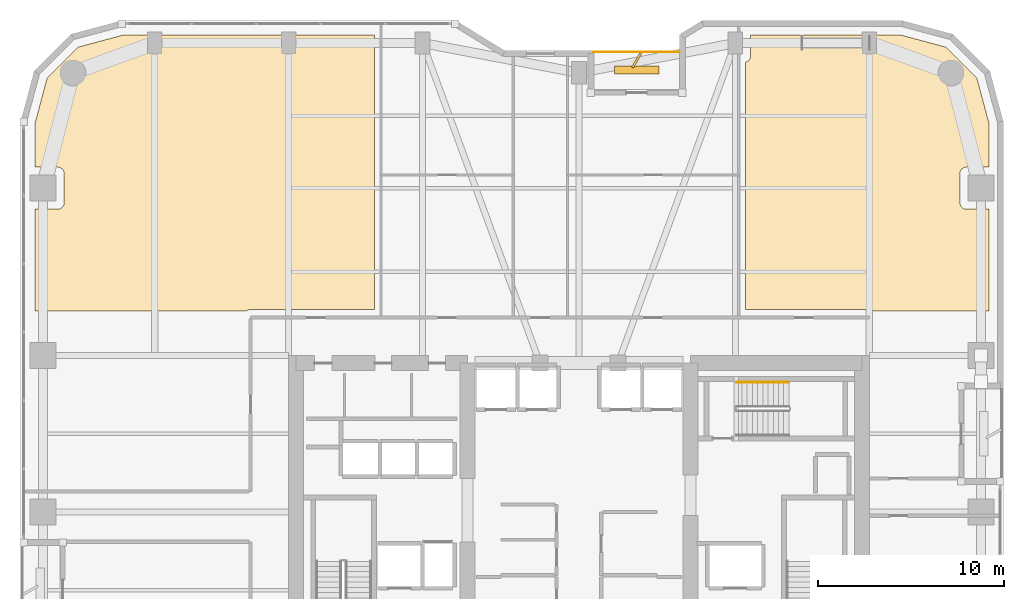
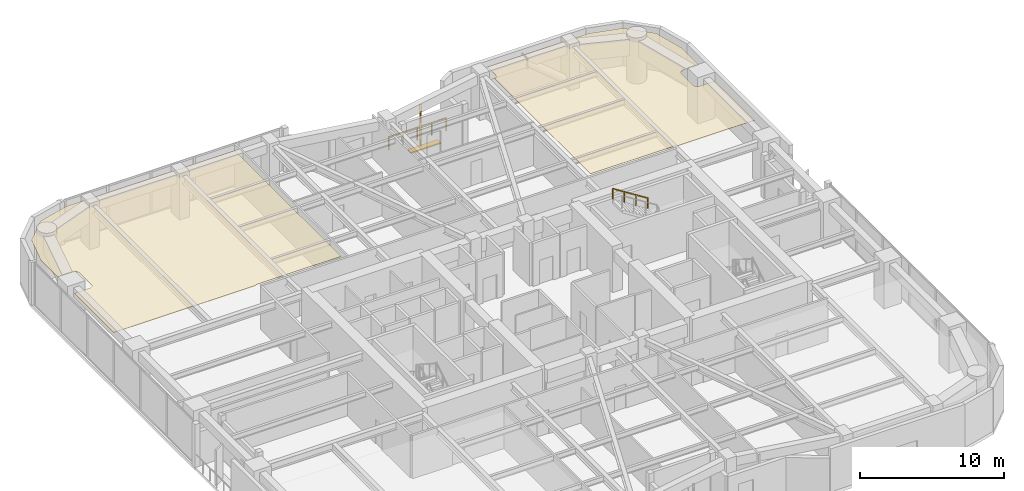
# One storey, part 24 of 24: 2 coverings, 2 railings, 2 shading devices.
"""IFC4 building model written with IfcOpenShell, lengths in metres."""

from ifc_helpers import new_model, si_unit, direction, frame, origin, origin_2d, place, context, subcontext, project, spatial, polyline, rectangle, outline, extrude, material, layer, layer_set, type_object, element, save


model = new_model("IFC4")

# Units and contexts
model_context = context("Model", 3, precision=1e-05, world=origin(), true_north=direction((0.0, 1.0)))
body_context = subcontext(model_context, "Body", "Model", "MODEL_VIEW")
ifc_project = project(units=[si_unit("LENGTHUNIT", "METRE"), si_unit("AREAUNIT", "SQUARE_METRE"), si_unit("VOLUMEUNIT", "CUBIC_METRE"), si_unit("PLANEANGLEUNIT", "RADIAN"), si_unit("MASSUNIT", "GRAM", prefix="KILO")], contexts=[model_context])

# Site, building, storey
site_placement = place(None, origin())
site = spatial("IfcSite", under=ifc_project, at=site_placement, CompositionType="ELEMENT")
building_placement = place(site_placement, origin())
building = spatial("IfcBuilding", under=site, at=building_placement, Name="Kiyonajd Concourse Tower", CompositionType="ELEMENT")
storey_placement = place(building_placement, frame((0.0, 0.0, 137.699951171875)))
storey = spatial("IfcBuildingStorey", under=building, at=storey_placement, Name="L35", CompositionType="ELEMENT", Elevation=137.699951171875)

# Coverings
ifc_material_1 = material(Name="Natural Oak Acoustic Timber Veneer", Category="wood")
ifc_layer = layer(ifc_material_1, 0.0400390625)
ifc_layer_set = layer_set([ifc_layer], Name="Natural Oak Acoustic Timber Veneer")
covering_type = type_object("IfcCoveringType", Name="CV-CLG-ACST", PredefinedType="CEILING", material=ifc_layer_set)
covering_1_placement = place(storey_placement, frame((0.0, 0.0, 3.4599609375)))
element("IfcCovering", 1, at=covering_1_placement, inside=storey, type_object=covering_type, Name="L35-44 Room Acoustic Ceiling", PredefinedType="CEILING", context=body_context, shape_type="SweptSolid", body=[
    extrude(outline(polyline([(21.097900390625, 60.986083984375), (23.5009765625, 61.6298828125), (37.010009765625, 61.6298828125), (37.010009765625, 46.8798828125), (30.35009765625, 46.8798828125), (30.219970703125, 46.860107421875), (30.156982421875, 46.833984375), (30.10205078125, 46.800048828125), (18.77001953125, 46.800048828125), (18.77001953125, 52.27001953125), (19.97998046875, 52.27001953125), (20.048095703125, 52.277099609375), (20.14501953125, 52.31103515625), (20.201904296875, 52.34912109375), (20.2509765625, 52.39794921875), (20.2890625, 52.455078125), (20.31494140625, 52.51806640625), (20.330078125, 52.6201171875), (20.330078125, 54.179931640625), (20.31494140625, 54.281982421875), (20.2890625, 54.344970703125), (20.2509765625, 54.402099609375), (20.201904296875, 54.450927734375), (20.14501953125, 54.489013671875), (20.08203125, 54.514892578125), (20.013916015625, 54.528076171875), (18.77001953125, 54.530029296875), (18.77001953125, 56.89892578125), (19.4140625, 59.302001953125), (21.097900390625, 60.986083984375)])), origin(), (0.0, 0.0, 1.0), 0.0400390625),
])
covering_2_placement = place(storey_placement, frame((0.0, 0.0, 3.4599609375)))
element("IfcCovering", 2, at=covering_2_placement, inside=storey, type_object=covering_type, Name="L35-50 Room Acoustic Ceiling", PredefinedType="CEILING", context=body_context, shape_type="SweptSolid", body=[
    extrude(outline(polyline([(57.22998046875, 61.6298828125), (65.299072265625, 61.6298828125), (67.701904296875, 60.986083984375), (69.385986328125, 59.302001953125), (70.030029296875, 56.89892578125), (70.030029296875, 54.530029296875), (68.785888671875, 54.528076171875), (68.718017578125, 54.514892578125), (68.655029296875, 54.489013671875), (68.597900390625, 54.450927734375), (68.549072265625, 54.402099609375), (68.510986328125, 54.344970703125), (68.485107421875, 54.281982421875), (68.469970703125, 54.179931640625), (68.471923828125, 52.5859375), (68.4970703125, 52.486083984375), (68.549072265625, 52.39794921875), (68.597900390625, 52.34912109375), (68.655029296875, 52.31103515625), (68.751953125, 52.277099609375), (68.820068359375, 52.27001953125), (70.030029296875, 52.27001953125), (70.030029296875, 46.800048828125), (63.847900390625, 46.800048828125), (63.79296875, 46.833984375), (63.72998046875, 46.860107421875), (63.60009765625, 46.8798828125), (56.9599609375, 46.8798828125), (56.9599609375, 60.179931640625), (57.044921875, 60.2109375), (57.126953125, 60.27294921875), (57.18896484375, 60.35498046875), (57.222900390625, 60.451904296875), (57.22998046875, 60.52001953125), (57.22998046875, 61.6298828125)])), origin(), (0.0, 0.0, 1.0), 0.0400390625),
])

# Railings
ifc_material_2 = material(Name="Thermally Broken Anodised Aluminium", Category="aluminium")
railing_type_1 = type_object("IfcRailingType", Name="RL-GRD-LOG", PredefinedType="GUARDRAIL", material=ifc_material_2)
railing_1_placement = place(storey_placement, frame((53.39990234375, 60.719970703125, 0.0)))
element("IfcRailing", 3, at=railing_1_placement, inside=storey, type_object=railing_type_1, Name="L35 Engawa Loggia Perimeter Guard LOG-N", PredefinedType="GUARDRAIL", context=body_context, shape_type="SweptSolid", body=[
    extrude(rectangle(XDim=0.048095703125, YDim=0.048095703125, at=origin_2d()), frame((0.0, 0.0, 1.076171875), z_axis=(-1.0, 0.0, 0.0), x_axis=(0.0, -1.0, 0.0)), (0.0, 0.0, 1.0), 4.599853515625),
    extrude(rectangle(XDim=0.0419921875, YDim=0.0419921875, at=origin_2d()), origin(), (0.0, 0.0, 1.0), 1.052001953125),
    extrude(rectangle(XDim=0.0419921875, YDim=0.0419921875, at=origin_2d()), frame((-1.14990234375, 0.0, 0.0)), (0.0, 0.0, 1.0), 1.052001953125),
    extrude(rectangle(XDim=0.0419921875, YDim=0.0419921875, at=origin_2d()), frame((-2.2998046875, 0.0, 0.0)), (0.0, 0.0, 1.0), 1.052001953125),
    extrude(rectangle(XDim=0.0419921875, YDim=0.0419921875, at=origin_2d()), frame((-3.449951171875, 0.0, 0.0)), (0.0, 0.0, 1.0), 1.052001953125),
    extrude(rectangle(XDim=0.0419921875, YDim=0.0419921875, at=origin_2d()), frame((-4.599853515625, 0.0, 0.0)), (0.0, 0.0, 1.0), 1.052001953125),
])
ifc_material_3 = material(Name="Brushed Stainless Steel Cab Assembly", Category="steel")
railing_type_2 = type_object("IfcRailingType", Name="RL-HND-900", PredefinedType="HANDRAIL", material=ifc_material_3)
railing_2_placement = place(storey_placement, frame((59.280029296875, 42.969970703125, 2.12744140625)))
element("IfcRailing", 4, at=railing_2_placement, inside=storey, type_object=railing_type_2, Name="L35 ST3 stair handrail 2", PredefinedType="HANDRAIL", context=body_context, shape_type="SweptSolid", body=[
    extrude(rectangle(XDim=0.048095703125, YDim=0.048095703125, at=origin_2d()), frame((0.0, 0.0, 0.8759765625), z_axis=(-0.844908973607, 0.0, 0.534910110503), x_axis=(0.0, -1.0, 0.0)), (0.0, 0.0, 1.0), 3.31396484375),
    extrude(rectangle(XDim=0.0419921875, YDim=0.0419921875, at=origin_2d()), origin(), (0.0, 0.0, 1.0), 0.851806640625),
    extrude(rectangle(XDim=0.0419921875, YDim=0.0419921875, at=origin_2d()), frame((-0.933349609375, 0.0, 0.5908203125)), (0.0, 0.0, 1.0), 0.851806640625),
    extrude(rectangle(XDim=0.0419921875, YDim=0.0419921875, at=origin_2d()), frame((-1.86669921875, 0.0, 1.181884765625)), (0.0, 0.0, 1.0), 0.851806640625),
    extrude(rectangle(XDim=0.0419921875, YDim=0.0419921875, at=origin_2d()), frame((-2.800048828125, 0.0, 1.772705078125)), (0.0, 0.0, 1.0), 0.851806640625),
])

# Shading devices
ifc_material_4 = material(Name="Precast concrete C50/60", Category="concrete")
shading_device_type_1 = type_object("IfcShadingDeviceType", Name="SH-FIN-900", PredefinedType="USERDEFINED", material=ifc_material_4)
shading_device_1_placement = place(storey_placement, frame((51.10009765625, 60.27001953125, 0.0), z_axis=(0.0, 0.0, 1.0), x_axis=(0.5, 0.866025403784, 0.0)))
element("IfcShadingDevice", 5, at=shading_device_1_placement, inside=storey, type_object=shading_device_type_1, Name="L35 Angled Koshi Solar Fin LOG-N", ObjectType="FIN", PredefinedType="USERDEFINED", context=body_context, shape_type="SweptSolid", body=[
    extrude(rectangle(XDim=0.89990234375, YDim=0.1201171875, at=origin_2d()), origin(), (0.0, 0.0, 1.0), 3.0),
])
shading_device_type_2 = type_object("IfcShadingDeviceType", Name="SH-LVR-600", PredefinedType="JALOUSIE", material=ifc_material_2)
shading_device_2_placement = place(storey_placement, frame((51.10009765625, 59.75, 0.0), z_axis=(0.0, 0.0, 1.0), x_axis=(1.0, 0.0, 0.0)))
element("IfcShadingDevice", 6, at=shading_device_2_placement, inside=storey, type_object=shading_device_type_2, Name="L35 Loggia Threshold Louver LOG-N", PredefinedType="JALOUSIE", context=body_context, shape_type="SweptSolid", body=[
    extrude(rectangle(XDim=2.39990234375, YDim=0.449951171875, at=origin_2d()), origin(), (0.0, 0.0, 1.0), 0.10009765625),
])

save(model, "model.ifc")
